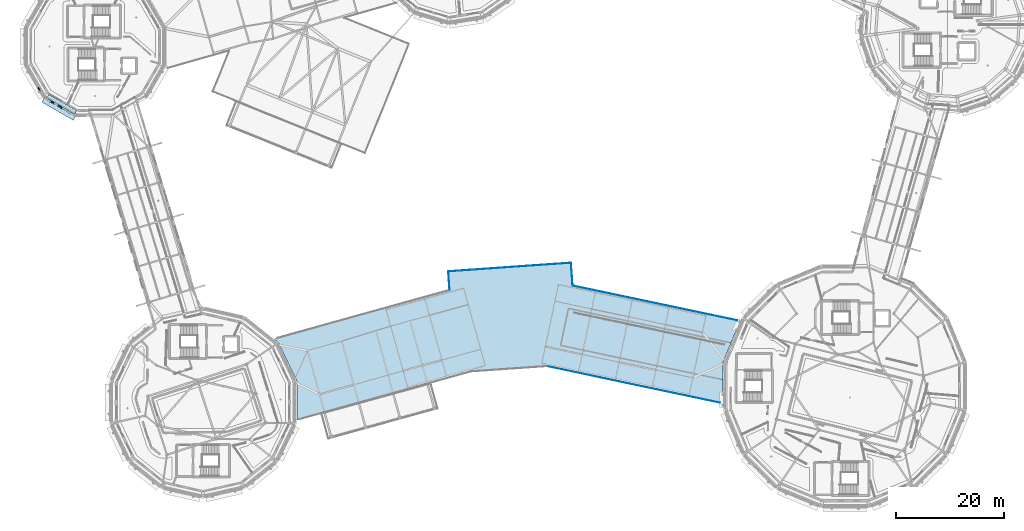
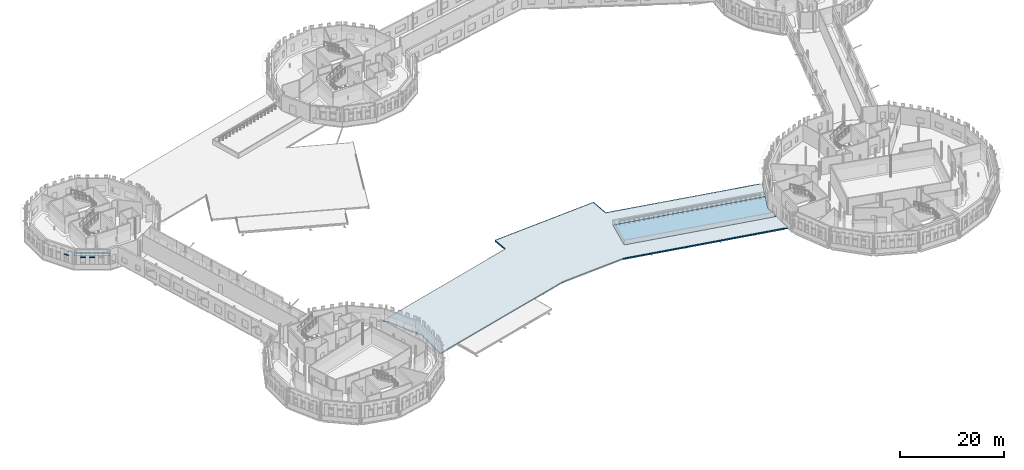
# One storey, part 32 of 90: 10 plates, 2 slabs.
"""IFC4 building model written with IfcOpenShell, lengths in metres."""

from ifc_helpers import new_model, si_unit, direction, frame, origin, origin_2d, place, context, subcontext, project, spatial, polyline, rectangle, outline, extrude, material, layer, layer_set, type_object, element, save


model = new_model("IFC4")

# Units and contexts
model_context = context("Model", 3, precision=1e-05, world=origin(), true_north=direction((0.0, 1.0)))
body_context = subcontext(model_context, "Body", "Model", "MODEL_VIEW")
ifc_project = project(units=[si_unit("LENGTHUNIT", "METRE"), si_unit("AREAUNIT", "SQUARE_METRE"), si_unit("VOLUMEUNIT", "CUBIC_METRE"), si_unit("PLANEANGLEUNIT", "RADIAN"), si_unit("MASSUNIT", "GRAM", prefix="KILO")], contexts=[model_context])

# Site, building, storey
site_placement = place(None, origin())
site = spatial("IfcSite", under=ifc_project, at=site_placement, CompositionType="ELEMENT")
building_placement = place(site_placement, origin())
building = spatial("IfcBuilding", under=site, at=building_placement, Name="Wrenclough Park School", CompositionType="ELEMENT")
storey_placement = place(building_placement, frame((0.0, 0.0, 8.39990234375)))
storey = spatial("IfcBuildingStorey", under=building, at=storey_placement, Name="L02", CompositionType="ELEMENT", Elevation=8.39990234375)

# Plates
ifc_material_1 = material(Name="Anodised architectural aluminium solar shading fin plate", Category="aluminium")
ifc_layer_1 = layer(ifc_material_1, 0.0380859375)
ifc_layer_set_1 = layer_set([ifc_layer_1], Name="Anodised architectural aluminium solar shading fin plate")
plate_type_1 = type_object("IfcPlateType", Name="ENV-PL-BSF", PredefinedType="SHEET", material=ifc_layer_set_1)
for number, where, z_axis, x_axis, name in (
    (1, (6.1591796875, 81.49755859375, 2.72216796875), (0.0, 0.0, 1.0), (0.499990505441, -0.866030885401, 0.0), "D3 L02 open-bond brick screen tie band 0393"),
    (2, (8.49755859375, 79.1591796875, 2.72216796875), (0.0, 0.0, 1.0), (0.866030885401, -0.499990505441, 0.0), "D3 L02 open-bond brick screen tie band 0394"),
    (3, (10.021728515625, 78.279296875, 2.72216796875), (0.0, 0.0, 1.0), (0.866030885401, -0.499990505441, 0.0), "D3 L02 open-bond brick screen tie band 0395"),
):
    element("IfcPlate", number, at=place(storey_placement, frame(where, z_axis=z_axis, x_axis=x_axis)), inside=storey, type_object=plate_type_1, Name=name, PredefinedType="SHEET", context=body_context, shape_type="SweptSolid", body=[
        extrude(rectangle(XDim=1.071044921875, YDim=0.219970703125, at=origin_2d()), origin(), (0.0, 0.0, 1.0), 0.0419921875),
    ])
plate_1_placement = place(storey_placement, frame((9.762939453125, 77.8310546875, 3.701171875), z_axis=(0.0, 0.0, 1.0), x_axis=(0.866030885401, -0.499990505441, 0.0)))
element("IfcPlate", 4, at=plate_1_placement, inside=storey, type_object=plate_type_1, Name="D3 L02 sun-side projecting brise-soleil blade 0062", PredefinedType="SHEET", context=body_context, shape_type="SweptSolid", body=[
    extrude(rectangle(XDim=6.739990234375, YDim=0.85009765625, at=origin_2d()), origin(), (0.0, 0.0, 1.0), 0.0380859375),
])
plate_2_placement = place(storey_placement, frame((10.293212890625, 78.749755859375, 3.720947265625), z_axis=(0.0, 0.0, 1.0), x_axis=(-0.866028723321, 0.499994250351, 0.0)))
element("IfcPlate", 5, at=plate_2_placement, inside=storey, type_object=plate_type_1, Name="L02 link wing sun-side brise-soleil blade 0201", PredefinedType="SHEET", context=body_context, shape_type="SweptSolid", body=[
    extrude(rectangle(XDim=5.980224609375, YDim=0.800048828125, at=origin_2d()), origin(), (0.0, 0.0, 1.0), 0.0380859375),
])
ifc_material_2 = material(Name="Patinated copper-alloy architectural eave fascia cassette", Category="aluminium")
ifc_layer_2 = layer(ifc_material_2, 0.028076171875)
ifc_layer_set_2 = layer_set([ifc_layer_2], Name="Patinated copper-alloy architectural eave fascia cassette")
plate_type_2 = type_object("IfcPlateType", Name="ENV-PL-FAS", PredefinedType="SHEET", material=ifc_layer_set_2)
plate_3_placement = place(storey_placement, frame((116.30859375, 26.817138671875, -0.2900390625), z_axis=(0.0, 0.0, 1.0), x_axis=(0.978380536619, -0.206812779016, 0.0)))
element("IfcPlate", 6, at=plate_3_placement, inside=storey, type_object=plate_type_2, Name="Overhanging copper eave fascia plate 002", PredefinedType="SHEET", context=body_context, shape_type="SweptSolid", body=[
    extrude(rectangle(XDim=32.759521484375, YDim=0.028076171875, at=origin_2d()), origin(), (0.0, 0.0, 1.0), 0.340087890625),
])
plate_4_placement = place(storey_placement, frame((120.274169921875, 41.913330078125, -0.2900390625), z_axis=(0.0, 0.0, 1.0), x_axis=(-0.978380747721, 0.206811780346, 0.0)))
element("IfcPlate", 7, at=plate_4_placement, inside=storey, type_object=plate_type_2, Name="Overhanging copper eave fascia plate 003", PredefinedType="SHEET", context=body_context, shape_type="SweptSolid", body=[
    extrude(rectangle(XDim=31.080322265625, YDim=0.028076171875, at=origin_2d()), origin(), (0.0, 0.0, 1.0), 0.340087890625),
])
plate_5_placement = place(storey_placement, frame((104.859375, 47.25830078125, -0.2900390625), z_axis=(0.0, 0.0, 1.0), x_axis=(-0.069771366114, 0.997563008772, 0.0)))
element("IfcPlate", 8, at=plate_5_placement, inside=storey, type_object=plate_type_2, Name="Overhanging copper eave fascia plate 004", PredefinedType="SHEET", context=body_context, shape_type="SweptSolid", body=[
    extrude(rectangle(XDim=4.1181640625, YDim=0.028076171875, at=origin_2d()), origin(), (0.0, 0.0, 1.0), 0.340087890625),
])
plate_6_placement = place(storey_placement, frame((93.344482421875, 48.572265625, -0.2900390625), z_axis=(0.0, 0.0, 1.0), x_axis=(-0.997563898798, -0.069758639714, 0.0)))
element("IfcPlate", 9, at=plate_6_placement, inside=storey, type_object=plate_type_2, Name="Overhanging copper eave fascia plate 005", PredefinedType="SHEET", context=body_context, shape_type="SweptSolid", body=[
    extrude(rectangle(XDim=22.679931640625, YDim=0.028076171875, at=origin_2d()), origin(), (0.0, 0.0, 1.0), 0.340087890625),
])
plate_7_placement = place(storey_placement, frame((82.09814453125, 46.0498046875, -0.2900390625), z_axis=(0.0, 0.0, 1.0), x_axis=(0.069757504166, -0.997563978205, 0.0)))
element("IfcPlate", 10, at=plate_7_placement, inside=storey, type_object=plate_type_2, Name="Overhanging copper eave fascia plate 006", PredefinedType="SHEET", context=body_context, shape_type="SweptSolid", body=[
    extrude(rectangle(XDim=3.353515625, YDim=0.028076171875, at=origin_2d()), origin(), (0.0, 0.0, 1.0), 0.340087890625),
])

# Slabs
ifc_material_3 = material(Name="Concrete C35/45", Category="concrete")
ifc_layer_3 = layer(ifc_material_3, 0.22998046875)
ifc_layer_set_3 = layer_set([ifc_layer_3], Name="Concrete C35/45")
slab_type_1 = type_object("IfcSlabType", Name="STR-SL-PD230", PredefinedType="FLOOR", material=ifc_layer_set_3)
slab_1_placement = place(storey_placement, frame((0.0, 0.0, -0.22998046875)))
element("IfcSlab", 11, at=slab_1_placement, inside=storey, type_object=slab_type_1, Name="W12 L02 structural slab SLAB-PD-1-L02", PredefinedType="FLOOR", context=body_context, shape_type="SweptSolid", body=[
    extrude(outline(polyline([(102.775634765625, 34.07568359375), (132.891845703125, 27.705078125), (132.892822265625, 30.996826171875), (134.363037109375, 34.548583984375), (104.224365234375, 40.92431640625), (102.775634765625, 34.07568359375)])), origin(), (0.0, 0.0, 1.0), 0.22998046875),
])
ifc_material_4 = material(Name="Concrete C32/40", Category="concrete")
ifc_layer_4 = layer(ifc_material_4, 0.22509765625)
ifc_layer_set_4 = layer_set([ifc_layer_4], Name="Concrete C32/40")
slab_type_2 = type_object("IfcSlabType", Name="STR-SL-RF225", PredefinedType="ROOF", material=ifc_layer_set_4)
slab_2_placement = place(storey_placement, frame((0.0, 0.0, -0.224853515625)))
element("IfcSlab", 12, at=slab_2_placement, inside=storey, type_object=slab_type_2, Name="W12 L02 structural slab SLAB-EAVE-W12-L02", PredefinedType="ROOF", context=body_context, shape_type="SweptSolid", body=[
    extrude(outline(polyline([(86.192138671875, 29.23095703125), (100.22314453125, 30.212158203125), (132.891845703125, 23.306640625), (132.891845703125, 27.690185546875), (102.7724609375, 34.06103515625), (104.22314453125, 40.939208984375), (134.368896484375, 34.5625), (136.03564453125, 38.5869140625), (105.01220703125, 45.14453125), (104.716552734375, 49.372314453125), (81.971923828125, 47.781982421875), (82.21435546875, 44.31689453125), (49.666748046875, 35.260009765625), (50.45947265625, 34.623779296875), (53.90185546875, 27.47412109375), (53.90380859375, 20.246337890625), (86.192138671875, 29.23095703125)])), origin(), (0.0, 0.0, 1.0), 0.224853515625),
])

save(model, "model.ifc")
